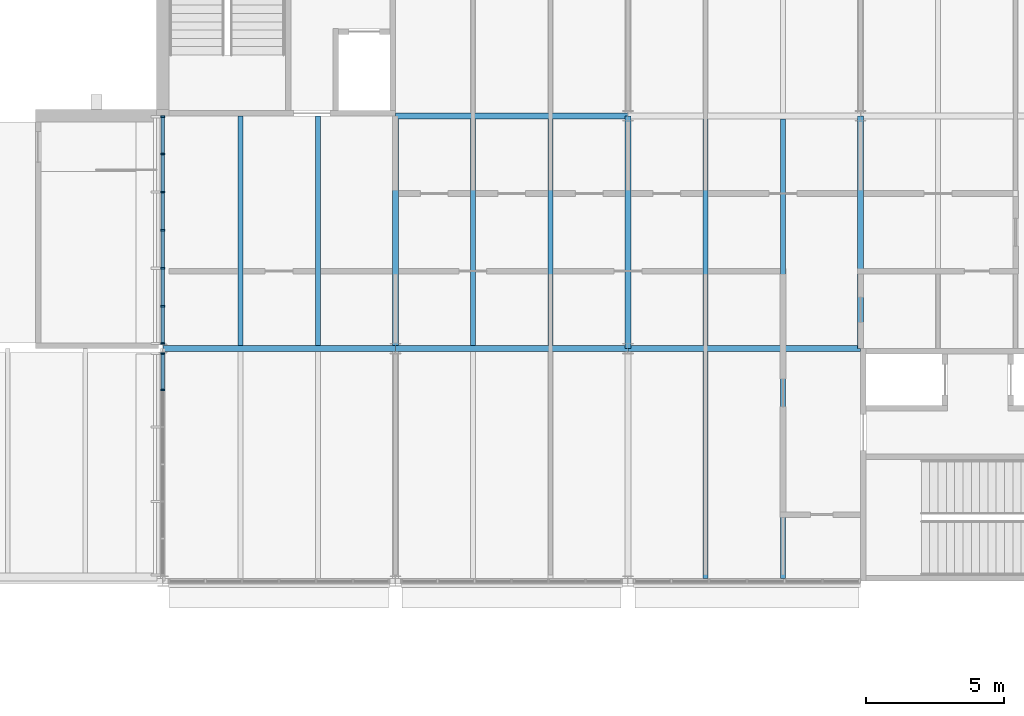
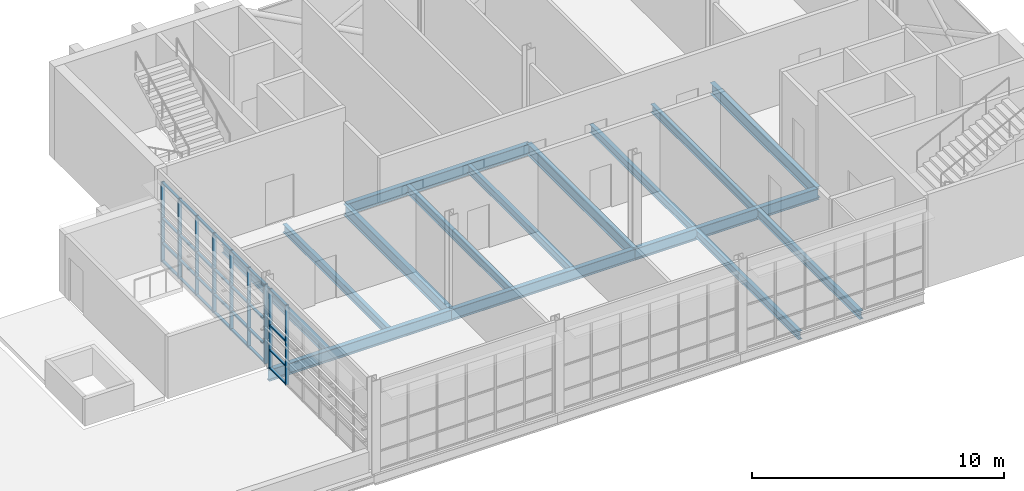
# One storey, part 11 of 29: 37 members, 15 beams, 2 elements without a shape of their own.
"""IFC4 building model written with IfcOpenShell, lengths in metres."""

import ifcopenshell
import ifcopenshell.guid

model = None  # the IFC model being written
_history = None  # IfcOwnerHistory: only IFC2X3 demands one
_inside = {}  # id of a spatial element -> (the spatial element, [elements in it])
_under = {}  # id of a project, library or spatial element -> (it, [spatial elements below it])
_declared = {}  # id of a project -> (the project, [libraries it declares])
_typed = {}  # id of a type object -> (the type object, [elements of that type])
_made_of = {}  # id of a material, layer set ... -> (it, [elements and type objects made of it])


def new_model(schema):
    """Start an empty IFC model of exactly this schema.

    Asked for "IFC4X3", IfcOpenShell would pick the latest addendum, in which some entities
    have other attributes; the version numbers below select the first issue.
    IFC2X3 requires an IfcOwnerHistory on every rooted entity: one is made here for all.
    """
    global model, _history
    if schema == "IFC4X3":
        model = ifcopenshell.file(schema_version=(4, 3, 0, 0))
    else:
        model = ifcopenshell.file(schema=schema)
    _inside.clear()
    _under.clear()
    _declared.clear()
    _typed.clear()
    _made_of.clear()
    _history = None
    if model.schema == "IFC2X3":
        org = make("IfcOrganization", Name="unknown")
        user = make(
            "IfcPersonAndOrganization",
            ThePerson=make("IfcPerson", FamilyName="unknown"),
            TheOrganization=org,
        )
        app = make(
            "IfcApplication",
            ApplicationDeveloper=org,
            Version="unknown",
            ApplicationFullName="unknown",
            ApplicationIdentifier="unknown",
        )
        _history = make(
            "IfcOwnerHistory",
            OwningUser=user,
            OwningApplication=app,
            ChangeAction="ADDED",
            CreationDate=0,
        )
    return model


def make(cls, **values):
    """One entity of the class cls with the attributes given. An attribute that is None is left unset."""
    return model.create_entity(
        cls, **{name: value for name, value in values.items() if value is not None}
    )


def rooted(cls, **values):
    """An entity with a GlobalId (a new one), such as an element, a storey or a relation."""
    return make(cls, GlobalId=ifcopenshell.guid.new(), OwnerHistory=_history, **values)


def si_unit(unit_type, name, prefix=None):
    """IfcSIUnit, for example si_unit("LENGTHUNIT", "METRE", prefix="MILLI")."""
    return make("IfcSIUnit", UnitType=unit_type, Prefix=prefix, Name=name)


def assignment(units):
    """IfcUnitAssignment: the units of a project."""
    return None if units is None else make("IfcUnitAssignment", Units=units)


def point(xyz):
    """IfcCartesianPoint."""
    return None if xyz is None else make("IfcCartesianPoint", Coordinates=xyz)


def direction(xyz):
    """IfcDirection."""
    return None if xyz is None else make("IfcDirection", DirectionRatios=xyz)


def frame(location, z_axis=None, x_axis=None):
    """IfcAxis2Placement3D, a coordinate frame: its origin and axes. An axis left out is left unset."""
    return make(
        "IfcAxis2Placement3D",
        Location=point(location),
        Axis=direction(z_axis),
        RefDirection=direction(x_axis),
    )


def frame_2d(location, x_axis=None):
    """IfcAxis2Placement2D, a coordinate frame in the plane: its origin and x axis."""
    return make(
        "IfcAxis2Placement2D", Location=point(location), RefDirection=direction(x_axis)
    )


def origin():
    """The frame at (0, 0, 0) with its axes left unset."""
    return frame((0.0, 0.0, 0.0))


def origin_2d():
    """The frame at (0, 0) in the plane with its x axis left unset."""
    return frame_2d((0.0, 0.0))


def place(relative_to, where):
    """IfcLocalPlacement: puts the frame where relative to a parent placement (None: the world)."""
    return make(
        "IfcLocalPlacement", PlacementRelTo=relative_to, RelativePlacement=where
    )


def context(
    kind, dimensions, precision=None, world=None, true_north=None, identifier=None
):
    """IfcGeometricRepresentationContext, for example the 3D "Model" context."""
    return make(
        "IfcGeometricRepresentationContext",
        ContextIdentifier=identifier,
        ContextType=kind,
        CoordinateSpaceDimension=dimensions,
        Precision=precision,
        WorldCoordinateSystem=world,
        TrueNorth=true_north,
    )


def subcontext(parent, identifier, kind, view, scale=None):
    """IfcGeometricRepresentationSubContext, for example "Body" below "Model"."""
    return make(
        "IfcGeometricRepresentationSubContext",
        ContextIdentifier=identifier,
        ContextType=kind,
        ParentContext=parent,
        TargetScale=scale,
        TargetView=view,
    )


def project(units=None, contexts=None):
    """IfcProject with its units and contexts."""
    return rooted(
        "IfcProject",
        Name="project",
        RepresentationContexts=contexts,
        UnitsInContext=assignment(units),
    )


def spatial(cls, under=None, at=None, **own):
    """A site, building, storey or space (cls), placed at a placement, below another one or the project."""
    s = rooted(cls, ObjectPlacement=at, **own)
    if under is not None:
        _under.setdefault(under.id(), (under, []))[1].append(s)
    return s


def profile(cls, at=None, kind="AREA", **sizes):
    """A parametric profile (cls). Its sizes go by their IFC names, for example OverallWidth=200.0."""
    return make(cls, ProfileType=kind, Position=at, **sizes)


def rectangle(**sizes):
    """IfcRectangleProfileDef."""
    return profile("IfcRectangleProfileDef", **sizes)


def i_section(**sizes):
    """IfcIShapeProfileDef."""
    return profile("IfcIShapeProfileDef", **sizes)


def extrude(swept, where, along, depth):
    """IfcExtrudedAreaSolid: the profile swept, set in the frame where, extruded along a direction by depth."""
    return make(
        "IfcExtrudedAreaSolid",
        SweptArea=swept,
        Position=where,
        ExtrudedDirection=direction(along),
        Depth=depth,
    )


def shape(context_of_items, identifier, shape_type, items):
    """IfcShapeRepresentation: the items that make up one representation, for example the "Body"."""
    return make(
        "IfcShapeRepresentation",
        ContextOfItems=context_of_items,
        RepresentationIdentifier=identifier,
        RepresentationType=shape_type,
        Items=items,
    )


def material(Name=None, Category=None):
    """IfcMaterial."""
    return make("IfcMaterial", Name=Name, Category=Category)


def layer(
    of_material, thickness, ventilated=None, Name=None, Category=None, Priority=None
):
    """IfcMaterialLayer: one layer of a wall or slab, of a material (None: an air gap)."""
    return make(
        "IfcMaterialLayer",
        Material=of_material,
        LayerThickness=thickness,
        IsVentilated=ventilated,
        Name=Name,
        Category=Category,
        Priority=Priority,
    )


def layer_set(layers, Name=None):
    """IfcMaterialLayerSet."""
    return make("IfcMaterialLayerSet", MaterialLayers=layers, LayerSetName=Name)


def material_profile(
    of_material, cross_section, Name=None, Category=None, Priority=None
):
    """IfcMaterialProfile: a cross section and its material."""
    return make(
        "IfcMaterialProfile",
        Name=Name,
        Material=of_material,
        Profile=cross_section,
        Priority=Priority,
        Category=Category,
    )


def profile_set(profiles, Name=None, composite=None):
    """IfcMaterialProfileSet."""
    return make(
        "IfcMaterialProfileSet",
        Name=Name,
        MaterialProfiles=profiles,
        CompositeProfile=composite,
    )


def made_of(thing, what):
    """Note that an element or type object is made of a material, layer set ...; save() writes the relation."""
    if what is not None:
        _made_of.setdefault(what.id(), (what, []))[1].append(thing)
    return thing


def type_object(cls, material=None, **own):
    """A type object (cls), such as IfcWallType, which elements share."""
    return made_of(rooted(cls, **own), material)


def element(
    cls,
    number,
    at=None,
    inside=None,
    cuts=None,
    type_object=None,
    material=None,
    context=None,
    identifier="Body",
    shape_type=None,
    held_by="IfcProductDefinitionShape",
    body=None,
    shapes=None,
    **own,
):
    """One element of the class cls, such as IfcWall. Its Tag is "e" and its number.

    at: its placement. inside: the storey or other place that contains it. cuts: it is an
    opening in that element (IfcRelVoidsElement). A single representation is given by context,
    identifier, shape_type and body (its items); several are given by shapes. held_by: the class
    of the entity that holds the representations. save() writes the other relations.
    """
    e = rooted(cls, Tag="e%d" % number, ObjectPlacement=at, **own)
    if body is not None:
        shapes = [shape(context, identifier, shape_type, body)]
    if shapes is not None:
        e.Representation = make(held_by, Representations=shapes)
    if inside is not None:
        _inside.setdefault(inside.id(), (inside, []))[1].append(e)
    if cuts is not None:
        rooted(
            "IfcRelVoidsElement", RelatingBuildingElement=cuts, RelatedOpeningElement=e
        )
    if type_object is not None:
        _typed.setdefault(type_object.id(), (type_object, []))[1].append(e)
    return made_of(e, material)


def aggregate(whole, parts):
    """IfcRelAggregates: a whole, such as a stair, and the parts it consists of."""
    return rooted("IfcRelAggregates", RelatingObject=whole, RelatedObjects=parts)


def save(model, path):
    """Write the relations noted so far, then the file.

    IfcRelAggregates (storeys below a building ...), IfcRelContainedInSpatialStructure (elements
    in a storey), IfcRelDefinesByType, IfcRelAssociatesMaterial and IfcRelDeclares: one each for
    every whole, place, type object, material and project.
    """
    for whole, parts in _under.values():
        aggregate(whole, parts)
    for where, things in _inside.values():
        rooted(
            "IfcRelContainedInSpatialStructure",
            RelatedElements=things,
            RelatingStructure=where,
        )
    for kind, things in _typed.values():
        rooted("IfcRelDefinesByType", RelatedObjects=things, RelatingType=kind)
    for what, things in _made_of.values():
        rooted("IfcRelAssociatesMaterial", RelatedObjects=things, RelatingMaterial=what)
    for by, libraries in _declared.values():
        rooted("IfcRelDeclares", RelatingContext=by, RelatedDefinitions=libraries)
    model.write(path)


model = new_model("IFC4")

# Units and contexts
model_context = context("Model", 3, precision=1e-05, world=origin(), true_north=direction((0.0, 1.0)))
body_context = subcontext(model_context, "Body", "Model", "MODEL_VIEW")
ifc_project = project(units=[si_unit("LENGTHUNIT", "METRE"), si_unit("AREAUNIT", "SQUARE_METRE"), si_unit("VOLUMEUNIT", "CUBIC_METRE"), si_unit("PLANEANGLEUNIT", "RADIAN"), si_unit("MASSUNIT", "GRAM", prefix="KILO")], contexts=[model_context])

# Site, building, storey
site_placement = place(None, origin())
site = spatial("IfcSite", under=ifc_project, at=site_placement, CompositionType="ELEMENT")
building_placement = place(site_placement, origin())
building = spatial("IfcBuilding", under=site, at=building_placement, Name="Ardhachandra Cancer Care Centre", CompositionType="ELEMENT")
storey_placement = place(building_placement, frame((0.0, 0.0, 13.5)))
storey = spatial("IfcBuildingStorey", under=building, at=storey_placement, Name="L03", CompositionType="ELEMENT", Elevation=13.5)

# Beams
ifc_material_1 = material(Name="Steel E350 (IS 2062)", Category="steel")
ifc_material_profile_1 = material_profile(ifc_material_1, i_section(OverallWidth=0.179931640625, OverallDepth=0.39990234375, WebThickness=0.008544921875, FlangeThickness=0.013427734375, FilletRadius=0.02099609375, at=origin_2d()), Name="NPB 400x180x66.30")
ifc_profile_set_1 = profile_set([ifc_material_profile_1], Name="Steel E350 (IS 2062)")
beam_type_1 = type_object("IfcBeamType", Name="Beam NPB 400x180x66.30", PredefinedType="BEAM", material=ifc_profile_set_1)
for number, where, z_axis, x_axis, name in (
    (1, (114.39990234375, 88.304931640625, -0.35009765625), (0.0, 1.0, 0.0), (-1.0, 0.0, 0.0), "Secondary K13-L13@2800"),
    (2, (117.199951171875, 88.304931640625, -0.35009765625), (0.0, 1.0, 0.0), (-1.0, 0.0, 0.0), "Secondary K13-L13@5600"),
):
    element("IfcBeam", number, at=place(storey_placement, frame(where, z_axis=z_axis, x_axis=x_axis)), inside=storey, type_object=beam_type_1, Name=name, PredefinedType="BEAM", context=body_context, shape_type="SweptSolid", body=[
        extrude(i_section(OverallWidth=0.179931640625, OverallDepth=0.39990234375, WebThickness=0.008544921875, FlangeThickness=0.013427734375, FilletRadius=0.02099609375, at=origin_2d()), origin(), (0.0, 0.0, 1.0), 8.295166015625),
    ])
for number, where, z_axis, x_axis, name in (
    (3, (122.800048828125, 88.304931640625, -0.35009765625), (0.0, 1.0, 0.0), (-1.0, 0.0, 0.0), "Secondary K14-L14@2800"),
    (4, (125.60009765625, 88.304931640625, -0.35009765625), (0.0, 1.0, 0.0), (-1.0, 0.0, 0.0), "Secondary K14-L14@5600"),
):
    element("IfcBeam", number, at=place(storey_placement, frame(where, z_axis=z_axis, x_axis=x_axis)), inside=storey, type_object=beam_type_1, Name=name, PredefinedType="BEAM", context=body_context, shape_type="SweptSolid", body=[
        extrude(i_section(OverallWidth=0.179931640625, OverallDepth=0.39990234375, WebThickness=0.008544921875, FlangeThickness=0.013427734375, FilletRadius=0.02099609375, at=origin_2d()), origin(), (0.0, 0.0, 1.0), 8.190185546875),
    ])
beam_1_placement = place(storey_placement, frame((131.199951171875, 79.89990234375, -0.35009765625), z_axis=(0.0, 1.0, 0.0), x_axis=(-1.0, 0.0, 0.0)))
element("IfcBeam", 5, at=beam_1_placement, inside=storey, type_object=beam_type_1, Name="Secondary J15-K15@2800", PredefinedType="BEAM", context=body_context, shape_type="SweptSolid", body=[
    extrude(i_section(OverallWidth=0.179931640625, OverallDepth=0.39990234375, WebThickness=0.008544921875, FlangeThickness=0.013427734375, FilletRadius=0.02099609375, at=origin_2d()), origin(), (0.0, 0.0, 1.0), 8.195068359375),
])
beam_2_placement = place(storey_placement, frame((131.199951171875, 88.304931640625, -0.35009765625), z_axis=(0.0, 1.0, 0.0), x_axis=(-1.0, 0.0, 0.0)))
element("IfcBeam", 6, at=beam_2_placement, inside=storey, type_object=beam_type_1, Name="Secondary K15-L15@2800", PredefinedType="BEAM", context=body_context, shape_type="SweptSolid", body=[
    extrude(i_section(OverallWidth=0.179931640625, OverallDepth=0.39990234375, WebThickness=0.008544921875, FlangeThickness=0.013427734375, FilletRadius=0.02099609375, at=origin_2d()), origin(), (0.0, 0.0, 1.0), 8.190185546875),
])
beam_3_placement = place(storey_placement, frame((134.0, 79.89990234375, -0.35009765625), z_axis=(0.0, 1.0, 0.0), x_axis=(-1.0, 0.0, 0.0)))
element("IfcBeam", 7, at=beam_3_placement, inside=storey, type_object=beam_type_1, Name="Secondary J15-K15@5600", PredefinedType="BEAM", context=body_context, shape_type="SweptSolid", body=[
    extrude(i_section(OverallWidth=0.179931640625, OverallDepth=0.39990234375, WebThickness=0.008544921875, FlangeThickness=0.013427734375, FilletRadius=0.02099609375, at=origin_2d()), origin(), (0.0, 0.0, 1.0), 8.195068359375),
])
beam_4_placement = place(storey_placement, frame((134.0, 88.304931640625, -0.35009765625), z_axis=(0.0, 1.0, 0.0), x_axis=(-1.0, 0.0, 0.0)))
element("IfcBeam", 8, at=beam_4_placement, inside=storey, type_object=beam_type_1, Name="Secondary K15-L15@5600", PredefinedType="BEAM", context=body_context, shape_type="SweptSolid", body=[
    extrude(i_section(OverallWidth=0.179931640625, OverallDepth=0.39990234375, WebThickness=0.008544921875, FlangeThickness=0.013427734375, FilletRadius=0.02099609375, at=origin_2d()), origin(), (0.0, 0.0, 1.0), 8.190185546875),
])
ifc_material_2 = material(Name="Steel E350 (IS 2062)", Category="steel")
ifc_material_profile_2 = material_profile(ifc_material_2, i_section(OverallWidth=0.2099609375, OverallDepth=0.550048828125, WebThickness=0.010986328125, FlangeThickness=0.01708984375, FilletRadius=0.02392578125, at=origin_2d()), Name="NPB 550x210x105.52")
ifc_profile_set_2 = profile_set([ifc_material_profile_2], Name="Steel E350 (IS 2062)")
beam_type_2 = type_object("IfcBeamType", Name="Beam NPB 550x210x105.52", PredefinedType="BEAM", material=ifc_profile_set_2)
for number, where, z_axis, x_axis, name in (
    (9, (111.60009765625, 88.199951171875, -0.425048828125), (1.0, 0.0, 0.0), (0.0, 1.0, 0.0), "Girder K13-K14"),
    (10, (120.0, 88.199951171875, -0.425048828125), (1.0, 0.0, 0.0), (0.0, 1.0, 0.0), "Girder K14-K15"),
):
    element("IfcBeam", number, at=place(storey_placement, frame(where, z_axis=z_axis, x_axis=x_axis)), inside=storey, type_object=beam_type_2, Name=name, PredefinedType="BEAM", context=body_context, shape_type="SweptSolid", body=[
        extrude(i_section(OverallWidth=0.2099609375, OverallDepth=0.550048828125, WebThickness=0.010986328125, FlangeThickness=0.01708984375, FilletRadius=0.02392578125, at=origin_2d()), origin(), (0.0, 0.0, 1.0), 8.39990234375),
    ])
beam_5_placement = place(storey_placement, frame((128.39990234375, 88.199951171875, -0.425048828125), z_axis=(1.0, 0.0, 0.0), x_axis=(0.0, 1.0, 0.0)))
element("IfcBeam", 11, at=beam_5_placement, inside=storey, type_object=beam_type_2, Name="Girder K15-K16", PredefinedType="BEAM", context=body_context, shape_type="SweptSolid", body=[
    extrude(i_section(OverallWidth=0.2099609375, OverallDepth=0.550048828125, WebThickness=0.010986328125, FlangeThickness=0.01708984375, FilletRadius=0.02392578125, at=origin_2d()), origin(), (0.0, 0.0, 1.0), 8.400146484375),
])
beam_6_placement = place(storey_placement, frame((120.0, 96.60009765625, -0.425048828125), z_axis=(1.0, 0.0, 0.0), x_axis=(0.0, 1.0, 0.0)))
element("IfcBeam", 12, at=beam_6_placement, inside=storey, type_object=beam_type_2, Name="Girder L14-L15", PredefinedType="BEAM", context=body_context, shape_type="SweptSolid", body=[
    extrude(i_section(OverallWidth=0.2099609375, OverallDepth=0.550048828125, WebThickness=0.010986328125, FlangeThickness=0.01708984375, FilletRadius=0.02392578125, at=origin_2d()), origin(), (0.0, 0.0, 1.0), 8.39990234375),
])
for number, where, z_axis, x_axis, name in (
    (13, (120.0, 88.199951171875, -0.425048828125), (0.0, 1.0, 0.0), (-1.0, 0.0, 0.0), "Girder K14-L14"),
    (14, (128.39990234375, 88.199951171875, -0.425048828125), (0.0, 1.0, 0.0), (-1.0, 0.0, 0.0), "Girder K15-L15"),
    (15, (136.800048828125, 88.199951171875, -0.425048828125), (0.0, 1.0, 0.0), (-1.0, 0.0, 0.0), "Girder K16-L16"),
):
    element("IfcBeam", number, at=place(storey_placement, frame(where, z_axis=z_axis, x_axis=x_axis)), inside=storey, type_object=beam_type_2, Name=name, PredefinedType="BEAM", context=body_context, shape_type="SweptSolid", body=[
        extrude(i_section(OverallWidth=0.2099609375, OverallDepth=0.550048828125, WebThickness=0.010986328125, FlangeThickness=0.01708984375, FilletRadius=0.02392578125, at=origin_2d()), origin(), (0.0, 0.0, 1.0), 8.400146484375),
    ])

# Curtain wall, members
ifc_material_3 = material(Name="Aluminium extrusion", Category="aluminium")
ifc_layer = layer(ifc_material_3, 0.14990234375)
ifc_layer_set = layer_set([ifc_layer], Name="Aluminium extrusion")
curtain_wall_type = type_object("IfcCurtainWallType", Name="Curtain wall run", PredefinedType="NOTDEFINED", material=ifc_layer_set)
curtain_wall_1_placement = place(storey_placement, origin())
curtain_wall_1 = element("IfcCurtainWall", 16, at=curtain_wall_1_placement, inside=storey, type_object=curtain_wall_type, Name="Curtain wall L03 w/0111600_0079800", PredefinedType="NOTDEFINED")
ifc_material_4 = material(Name="Aluminium extrusion", Category="aluminium")
ifc_material_profile_3 = material_profile(ifc_material_4, rectangle(XDim=0.159912109375, YDim=0.06005859375, at=origin_2d()), Name="Curtain wall mullion 60 x 160")
ifc_profile_set_3 = profile_set([ifc_material_profile_3], Name="Aluminium extrusion")
member_type_1 = type_object("IfcMemberType", Name="Curtain wall mullion 60 x 160", PredefinedType="MULLION", material=ifc_profile_set_3)
member_1_placement = place(storey_placement, frame((111.60009765625, 86.706787109375, 0.0), z_axis=(0.0, 0.0, 1.0), x_axis=(-1.0, 0.0, 0.0)))
member_1 = element("IfcMember", 17, at=member_1_placement, type_object=member_type_1, Name="CW mullion 6", PredefinedType="MULLION", context=body_context, shape_type="SweptSolid", body=[
    extrude(rectangle(XDim=0.159912109375, YDim=0.06005859375, at=origin_2d()), origin(), (0.0, 0.0, 1.0), 3.85009765625),
])
member_2_placement = place(storey_placement, frame((111.60009765625, 88.02001953125, 0.0), z_axis=(0.0, 0.0, 1.0), x_axis=(-1.0, 0.0, 0.0)))
member_2 = element("IfcMember", 18, at=member_2_placement, type_object=member_type_1, Name="CW mullion 7", PredefinedType="MULLION", context=body_context, shape_type="SweptSolid", body=[
    extrude(rectangle(XDim=0.159912109375, YDim=0.06005859375, at=origin_2d()), origin(), (0.0, 0.0, 1.0), 3.85009765625),
])

curtain_wall_2_placement = place(storey_placement, origin())
curtain_wall_2 = element("IfcCurtainWall", 19, at=curtain_wall_2_placement, inside=storey, type_object=curtain_wall_type, Name="Curtain wall L03 w/0111600_0088200", PredefinedType="NOTDEFINED")
member_3_placement = place(storey_placement, frame((111.60009765625, 88.3798828125, 0.0), z_axis=(0.0, 0.0, 1.0), x_axis=(-1.0, 0.0, 0.0)))
member_3 = element("IfcMember", 20, at=member_3_placement, type_object=member_type_1, Name="CW mullion 1", PredefinedType="MULLION", context=body_context, shape_type="SweptSolid", body=[
    extrude(rectangle(XDim=0.159912109375, YDim=0.06005859375, at=origin_2d()), origin(), (0.0, 0.0, 1.0), 3.85009765625),
])
member_4_placement = place(storey_placement, frame((111.60009765625, 89.72509765625, 0.0), z_axis=(0.0, 0.0, 1.0), x_axis=(-1.0, 0.0, 0.0)))
member_4 = element("IfcMember", 21, at=member_4_placement, type_object=member_type_1, Name="CW mullion 2", PredefinedType="MULLION", context=body_context, shape_type="SweptSolid", body=[
    extrude(rectangle(XDim=0.159912109375, YDim=0.06005859375, at=origin_2d()), origin(), (0.0, 0.0, 1.0), 3.85009765625),
])
member_5_placement = place(storey_placement, frame((111.60009765625, 91.10009765625, 0.0), z_axis=(0.0, 0.0, 1.0), x_axis=(-1.0, 0.0, 0.0)))
member_5 = element("IfcMember", 22, at=member_5_placement, type_object=member_type_1, Name="CW mullion 3", PredefinedType="MULLION", context=body_context, shape_type="SweptSolid", body=[
    extrude(rectangle(XDim=0.159912109375, YDim=0.06005859375, at=origin_2d()), origin(), (0.0, 0.0, 1.0), 3.85009765625),
])
member_6_placement = place(storey_placement, frame((111.60009765625, 92.47509765625, 0.0), z_axis=(0.0, 0.0, 1.0), x_axis=(-1.0, 0.0, 0.0)))
member_6 = element("IfcMember", 23, at=member_6_placement, type_object=member_type_1, Name="CW mullion 4", PredefinedType="MULLION", context=body_context, shape_type="SweptSolid", body=[
    extrude(rectangle(XDim=0.159912109375, YDim=0.06005859375, at=origin_2d()), origin(), (0.0, 0.0, 1.0), 3.85009765625),
])
member_7_placement = place(storey_placement, frame((111.60009765625, 93.85009765625, 0.0), z_axis=(0.0, 0.0, 1.0), x_axis=(-1.0, 0.0, 0.0)))
member_7 = element("IfcMember", 24, at=member_7_placement, type_object=member_type_1, Name="CW mullion 5", PredefinedType="MULLION", context=body_context, shape_type="SweptSolid", body=[
    extrude(rectangle(XDim=0.159912109375, YDim=0.06005859375, at=origin_2d()), origin(), (0.0, 0.0, 1.0), 3.85009765625),
])
member_8_placement = place(storey_placement, frame((111.60009765625, 95.22509765625, 0.0), z_axis=(0.0, 0.0, 1.0), x_axis=(-1.0, 0.0, 0.0)))
member_8 = element("IfcMember", 25, at=member_8_placement, type_object=member_type_1, Name="CW mullion 6", PredefinedType="MULLION", context=body_context, shape_type="SweptSolid", body=[
    extrude(rectangle(XDim=0.159912109375, YDim=0.06005859375, at=origin_2d()), origin(), (0.0, 0.0, 1.0), 3.85009765625),
])
member_9_placement = place(storey_placement, frame((111.60009765625, 96.570068359375, 0.0), z_axis=(0.0, 0.0, 1.0), x_axis=(-1.0, 0.0, 0.0)))
member_9 = element("IfcMember", 26, at=member_9_placement, type_object=member_type_1, Name="CW mullion 7", PredefinedType="MULLION", context=body_context, shape_type="SweptSolid", body=[
    extrude(rectangle(XDim=0.159912109375, YDim=0.06005859375, at=origin_2d()), origin(), (0.0, 0.0, 1.0), 3.85009765625),
])

# Member
ifc_material_5 = material(Name="Aluminium extrusion", Category="aluminium")
ifc_material_profile_4 = material_profile(ifc_material_5, rectangle(XDim=0.1201171875, YDim=0.06005859375, at=origin_2d()), Name="Curtain wall transom 60 x 120")
ifc_profile_set_4 = profile_set([ifc_material_profile_4], Name="Aluminium extrusion")
member_type_2 = type_object("IfcMemberType", Name="Curtain wall transom 60 x 120", PredefinedType="USERDEFINED", material=ifc_profile_set_4)
member_10_placement = place(storey_placement, frame((111.60009765625, 86.736572265625, 0.030029296875), z_axis=(0.0, 1.0, 0.0), x_axis=(-1.0, 0.0, 0.0)))
member_10 = element("IfcMember", 27, at=member_10_placement, type_object=member_type_2, Name="CW transom 6.1", ObjectType="TRANSOM", PredefinedType="USERDEFINED", context=body_context, shape_type="SweptSolid", body=[
    extrude(rectangle(XDim=0.1201171875, YDim=0.06005859375, at=origin_2d()), origin(), (0.0, 0.0, 1.0), 1.25341796875),
])

member_11_placement = place(storey_placement, frame((111.60009765625, 86.736572265625, 0.89990234375), z_axis=(0.0, 1.0, 0.0), x_axis=(-1.0, 0.0, 0.0)))
member_11 = element("IfcMember", 28, at=member_11_placement, type_object=member_type_2, Name="CW transom 6.2", ObjectType="TRANSOM", PredefinedType="USERDEFINED", context=body_context, shape_type="SweptSolid", body=[
    extrude(rectangle(XDim=0.1201171875, YDim=0.06005859375, at=origin_2d()), origin(), (0.0, 0.0, 1.0), 1.25341796875),
])

member_12_placement = place(storey_placement, frame((111.60009765625, 86.736572265625, 2.10009765625), z_axis=(0.0, 1.0, 0.0), x_axis=(-1.0, 0.0, 0.0)))
member_12 = element("IfcMember", 29, at=member_12_placement, type_object=member_type_2, Name="CW transom 6.3", ObjectType="TRANSOM", PredefinedType="USERDEFINED", context=body_context, shape_type="SweptSolid", body=[
    extrude(rectangle(XDim=0.1201171875, YDim=0.06005859375, at=origin_2d()), origin(), (0.0, 0.0, 1.0), 1.25341796875),
])

member_13_placement = place(storey_placement, frame((111.60009765625, 86.736572265625, 3.820068359375), z_axis=(0.0, 1.0, 0.0), x_axis=(-1.0, 0.0, 0.0)))
member_13 = element("IfcMember", 30, at=member_13_placement, type_object=member_type_2, Name="CW transom 6.4", ObjectType="TRANSOM", PredefinedType="USERDEFINED", context=body_context, shape_type="SweptSolid", body=[
    extrude(rectangle(XDim=0.1201171875, YDim=0.06005859375, at=origin_2d()), origin(), (0.0, 0.0, 1.0), 1.25341796875),
])

aggregate(curtain_wall_1, [member_1, member_2, member_10, member_11, member_12, member_13])

member_14_placement = place(storey_placement, frame((111.60009765625, 88.409912109375, 0.030029296875), z_axis=(0.0, 1.0, 0.0), x_axis=(-1.0, 0.0, 0.0)))
member_14 = element("IfcMember", 31, at=member_14_placement, type_object=member_type_2, Name="CW transom 1.1", ObjectType="TRANSOM", PredefinedType="USERDEFINED", context=body_context, shape_type="SweptSolid", body=[
    extrude(rectangle(XDim=0.1201171875, YDim=0.06005859375, at=origin_2d()), origin(), (0.0, 0.0, 1.0), 1.28515625),
])

member_15_placement = place(storey_placement, frame((111.60009765625, 88.409912109375, 0.89990234375), z_axis=(0.0, 1.0, 0.0), x_axis=(-1.0, 0.0, 0.0)))
member_15 = element("IfcMember", 32, at=member_15_placement, type_object=member_type_2, Name="CW transom 1.2", ObjectType="TRANSOM", PredefinedType="USERDEFINED", context=body_context, shape_type="SweptSolid", body=[
    extrude(rectangle(XDim=0.1201171875, YDim=0.06005859375, at=origin_2d()), origin(), (0.0, 0.0, 1.0), 1.28515625),
])

member_16_placement = place(storey_placement, frame((111.60009765625, 88.409912109375, 2.10009765625), z_axis=(0.0, 1.0, 0.0), x_axis=(-1.0, 0.0, 0.0)))
member_16 = element("IfcMember", 33, at=member_16_placement, type_object=member_type_2, Name="CW transom 1.3", ObjectType="TRANSOM", PredefinedType="USERDEFINED", context=body_context, shape_type="SweptSolid", body=[
    extrude(rectangle(XDim=0.1201171875, YDim=0.06005859375, at=origin_2d()), origin(), (0.0, 0.0, 1.0), 1.28515625),
])

member_17_placement = place(storey_placement, frame((111.60009765625, 88.409912109375, 3.820068359375), z_axis=(0.0, 1.0, 0.0), x_axis=(-1.0, 0.0, 0.0)))
member_17 = element("IfcMember", 34, at=member_17_placement, type_object=member_type_2, Name="CW transom 1.4", ObjectType="TRANSOM", PredefinedType="USERDEFINED", context=body_context, shape_type="SweptSolid", body=[
    extrude(rectangle(XDim=0.1201171875, YDim=0.06005859375, at=origin_2d()), origin(), (0.0, 0.0, 1.0), 1.28515625),
])

member_18_placement = place(storey_placement, frame((111.60009765625, 89.7548828125, 0.030029296875), z_axis=(0.0, 1.0, 0.0), x_axis=(-1.0, 0.0, 0.0)))
member_18 = element("IfcMember", 35, at=member_18_placement, type_object=member_type_2, Name="CW transom 2.1", ObjectType="TRANSOM", PredefinedType="USERDEFINED", context=body_context, shape_type="SweptSolid", body=[
    extrude(rectangle(XDim=0.1201171875, YDim=0.06005859375, at=origin_2d()), origin(), (0.0, 0.0, 1.0), 1.315185546875),
])

member_19_placement = place(storey_placement, frame((111.60009765625, 89.7548828125, 0.89990234375), z_axis=(0.0, 1.0, 0.0), x_axis=(-1.0, 0.0, 0.0)))
member_19 = element("IfcMember", 36, at=member_19_placement, type_object=member_type_2, Name="CW transom 2.2", ObjectType="TRANSOM", PredefinedType="USERDEFINED", context=body_context, shape_type="SweptSolid", body=[
    extrude(rectangle(XDim=0.1201171875, YDim=0.06005859375, at=origin_2d()), origin(), (0.0, 0.0, 1.0), 1.315185546875),
])

member_20_placement = place(storey_placement, frame((111.60009765625, 89.7548828125, 2.10009765625), z_axis=(0.0, 1.0, 0.0), x_axis=(-1.0, 0.0, 0.0)))
member_20 = element("IfcMember", 37, at=member_20_placement, type_object=member_type_2, Name="CW transom 2.3", ObjectType="TRANSOM", PredefinedType="USERDEFINED", context=body_context, shape_type="SweptSolid", body=[
    extrude(rectangle(XDim=0.1201171875, YDim=0.06005859375, at=origin_2d()), origin(), (0.0, 0.0, 1.0), 1.315185546875),
])

member_21_placement = place(storey_placement, frame((111.60009765625, 89.7548828125, 3.820068359375), z_axis=(0.0, 1.0, 0.0), x_axis=(-1.0, 0.0, 0.0)))
member_21 = element("IfcMember", 38, at=member_21_placement, type_object=member_type_2, Name="CW transom 2.4", ObjectType="TRANSOM", PredefinedType="USERDEFINED", context=body_context, shape_type="SweptSolid", body=[
    extrude(rectangle(XDim=0.1201171875, YDim=0.06005859375, at=origin_2d()), origin(), (0.0, 0.0, 1.0), 1.315185546875),
])

member_22_placement = place(storey_placement, frame((111.60009765625, 91.1298828125, 0.030029296875), z_axis=(0.0, 1.0, 0.0), x_axis=(-1.0, 0.0, 0.0)))
member_22 = element("IfcMember", 39, at=member_22_placement, type_object=member_type_2, Name="CW transom 3.1", ObjectType="TRANSOM", PredefinedType="USERDEFINED", context=body_context, shape_type="SweptSolid", body=[
    extrude(rectangle(XDim=0.1201171875, YDim=0.06005859375, at=origin_2d()), origin(), (0.0, 0.0, 1.0), 1.315185546875),
])

member_23_placement = place(storey_placement, frame((111.60009765625, 91.1298828125, 0.89990234375), z_axis=(0.0, 1.0, 0.0), x_axis=(-1.0, 0.0, 0.0)))
member_23 = element("IfcMember", 40, at=member_23_placement, type_object=member_type_2, Name="CW transom 3.2", ObjectType="TRANSOM", PredefinedType="USERDEFINED", context=body_context, shape_type="SweptSolid", body=[
    extrude(rectangle(XDim=0.1201171875, YDim=0.06005859375, at=origin_2d()), origin(), (0.0, 0.0, 1.0), 1.315185546875),
])

member_24_placement = place(storey_placement, frame((111.60009765625, 91.1298828125, 2.10009765625), z_axis=(0.0, 1.0, 0.0), x_axis=(-1.0, 0.0, 0.0)))
member_24 = element("IfcMember", 41, at=member_24_placement, type_object=member_type_2, Name="CW transom 3.3", ObjectType="TRANSOM", PredefinedType="USERDEFINED", context=body_context, shape_type="SweptSolid", body=[
    extrude(rectangle(XDim=0.1201171875, YDim=0.06005859375, at=origin_2d()), origin(), (0.0, 0.0, 1.0), 1.315185546875),
])

member_25_placement = place(storey_placement, frame((111.60009765625, 91.1298828125, 3.820068359375), z_axis=(0.0, 1.0, 0.0), x_axis=(-1.0, 0.0, 0.0)))
member_25 = element("IfcMember", 42, at=member_25_placement, type_object=member_type_2, Name="CW transom 3.4", ObjectType="TRANSOM", PredefinedType="USERDEFINED", context=body_context, shape_type="SweptSolid", body=[
    extrude(rectangle(XDim=0.1201171875, YDim=0.06005859375, at=origin_2d()), origin(), (0.0, 0.0, 1.0), 1.315185546875),
])

member_26_placement = place(storey_placement, frame((111.60009765625, 92.5048828125, 0.030029296875), z_axis=(0.0, 1.0, 0.0), x_axis=(-1.0, 0.0, 0.0)))
member_26 = element("IfcMember", 43, at=member_26_placement, type_object=member_type_2, Name="CW transom 4.1", ObjectType="TRANSOM", PredefinedType="USERDEFINED", context=body_context, shape_type="SweptSolid", body=[
    extrude(rectangle(XDim=0.1201171875, YDim=0.06005859375, at=origin_2d()), origin(), (0.0, 0.0, 1.0), 1.315185546875),
])

member_27_placement = place(storey_placement, frame((111.60009765625, 92.5048828125, 0.89990234375), z_axis=(0.0, 1.0, 0.0), x_axis=(-1.0, 0.0, 0.0)))
member_27 = element("IfcMember", 44, at=member_27_placement, type_object=member_type_2, Name="CW transom 4.2", ObjectType="TRANSOM", PredefinedType="USERDEFINED", context=body_context, shape_type="SweptSolid", body=[
    extrude(rectangle(XDim=0.1201171875, YDim=0.06005859375, at=origin_2d()), origin(), (0.0, 0.0, 1.0), 1.315185546875),
])

member_28_placement = place(storey_placement, frame((111.60009765625, 92.5048828125, 2.10009765625), z_axis=(0.0, 1.0, 0.0), x_axis=(-1.0, 0.0, 0.0)))
member_28 = element("IfcMember", 45, at=member_28_placement, type_object=member_type_2, Name="CW transom 4.3", ObjectType="TRANSOM", PredefinedType="USERDEFINED", context=body_context, shape_type="SweptSolid", body=[
    extrude(rectangle(XDim=0.1201171875, YDim=0.06005859375, at=origin_2d()), origin(), (0.0, 0.0, 1.0), 1.315185546875),
])

member_29_placement = place(storey_placement, frame((111.60009765625, 92.5048828125, 3.820068359375), z_axis=(0.0, 1.0, 0.0), x_axis=(-1.0, 0.0, 0.0)))
member_29 = element("IfcMember", 46, at=member_29_placement, type_object=member_type_2, Name="CW transom 4.4", ObjectType="TRANSOM", PredefinedType="USERDEFINED", context=body_context, shape_type="SweptSolid", body=[
    extrude(rectangle(XDim=0.1201171875, YDim=0.06005859375, at=origin_2d()), origin(), (0.0, 0.0, 1.0), 1.315185546875),
])

member_30_placement = place(storey_placement, frame((111.60009765625, 93.8798828125, 0.030029296875), z_axis=(0.0, 1.0, 0.0), x_axis=(-1.0, 0.0, 0.0)))
member_30 = element("IfcMember", 47, at=member_30_placement, type_object=member_type_2, Name="CW transom 5.1", ObjectType="TRANSOM", PredefinedType="USERDEFINED", context=body_context, shape_type="SweptSolid", body=[
    extrude(rectangle(XDim=0.1201171875, YDim=0.06005859375, at=origin_2d()), origin(), (0.0, 0.0, 1.0), 1.315185546875),
])

member_31_placement = place(storey_placement, frame((111.60009765625, 93.8798828125, 0.89990234375), z_axis=(0.0, 1.0, 0.0), x_axis=(-1.0, 0.0, 0.0)))
member_31 = element("IfcMember", 48, at=member_31_placement, type_object=member_type_2, Name="CW transom 5.2", ObjectType="TRANSOM", PredefinedType="USERDEFINED", context=body_context, shape_type="SweptSolid", body=[
    extrude(rectangle(XDim=0.1201171875, YDim=0.06005859375, at=origin_2d()), origin(), (0.0, 0.0, 1.0), 1.315185546875),
])

member_32_placement = place(storey_placement, frame((111.60009765625, 93.8798828125, 2.10009765625), z_axis=(0.0, 1.0, 0.0), x_axis=(-1.0, 0.0, 0.0)))
member_32 = element("IfcMember", 49, at=member_32_placement, type_object=member_type_2, Name="CW transom 5.3", ObjectType="TRANSOM", PredefinedType="USERDEFINED", context=body_context, shape_type="SweptSolid", body=[
    extrude(rectangle(XDim=0.1201171875, YDim=0.06005859375, at=origin_2d()), origin(), (0.0, 0.0, 1.0), 1.315185546875),
])

member_33_placement = place(storey_placement, frame((111.60009765625, 93.8798828125, 3.820068359375), z_axis=(0.0, 1.0, 0.0), x_axis=(-1.0, 0.0, 0.0)))
member_33 = element("IfcMember", 50, at=member_33_placement, type_object=member_type_2, Name="CW transom 5.4", ObjectType="TRANSOM", PredefinedType="USERDEFINED", context=body_context, shape_type="SweptSolid", body=[
    extrude(rectangle(XDim=0.1201171875, YDim=0.06005859375, at=origin_2d()), origin(), (0.0, 0.0, 1.0), 1.315185546875),
])

member_34_placement = place(storey_placement, frame((111.60009765625, 95.2548828125, 0.030029296875), z_axis=(0.0, 1.0, 0.0), x_axis=(-1.0, 0.0, 0.0)))
member_34 = element("IfcMember", 51, at=member_34_placement, type_object=member_type_2, Name="CW transom 6.1", ObjectType="TRANSOM", PredefinedType="USERDEFINED", context=body_context, shape_type="SweptSolid", body=[
    extrude(rectangle(XDim=0.1201171875, YDim=0.06005859375, at=origin_2d()), origin(), (0.0, 0.0, 1.0), 1.28515625),
])

member_35_placement = place(storey_placement, frame((111.60009765625, 95.2548828125, 0.89990234375), z_axis=(0.0, 1.0, 0.0), x_axis=(-1.0, 0.0, 0.0)))
member_35 = element("IfcMember", 52, at=member_35_placement, type_object=member_type_2, Name="CW transom 6.2", ObjectType="TRANSOM", PredefinedType="USERDEFINED", context=body_context, shape_type="SweptSolid", body=[
    extrude(rectangle(XDim=0.1201171875, YDim=0.06005859375, at=origin_2d()), origin(), (0.0, 0.0, 1.0), 1.28515625),
])

member_36_placement = place(storey_placement, frame((111.60009765625, 95.2548828125, 2.10009765625), z_axis=(0.0, 1.0, 0.0), x_axis=(-1.0, 0.0, 0.0)))
member_36 = element("IfcMember", 53, at=member_36_placement, type_object=member_type_2, Name="CW transom 6.3", ObjectType="TRANSOM", PredefinedType="USERDEFINED", context=body_context, shape_type="SweptSolid", body=[
    extrude(rectangle(XDim=0.1201171875, YDim=0.06005859375, at=origin_2d()), origin(), (0.0, 0.0, 1.0), 1.28515625),
])

member_37_placement = place(storey_placement, frame((111.60009765625, 95.2548828125, 3.820068359375), z_axis=(0.0, 1.0, 0.0), x_axis=(-1.0, 0.0, 0.0)))
member_37 = element("IfcMember", 54, at=member_37_placement, type_object=member_type_2, Name="CW transom 6.4", ObjectType="TRANSOM", PredefinedType="USERDEFINED", context=body_context, shape_type="SweptSolid", body=[
    extrude(rectangle(XDim=0.1201171875, YDim=0.06005859375, at=origin_2d()), origin(), (0.0, 0.0, 1.0), 1.28515625),
])

aggregate(curtain_wall_2, [member_3, member_4, member_5, member_6, member_7, member_8, member_9, member_14, member_15, member_16, member_17, member_18, member_19, member_20, member_21, member_22, member_23, member_24, member_25, member_26, member_27, member_28, member_29, member_30, member_31, member_32, member_33, member_34, member_35, member_36, member_37])

save(model, "model.ifc")
